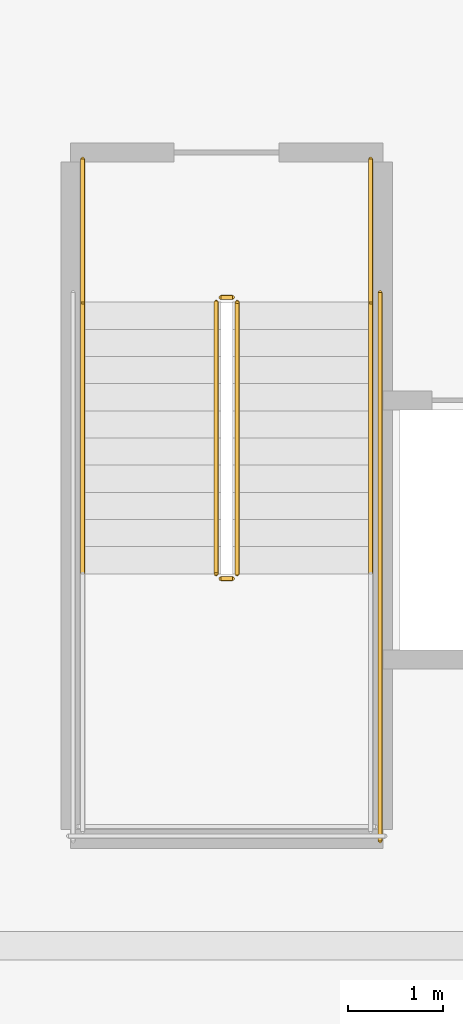
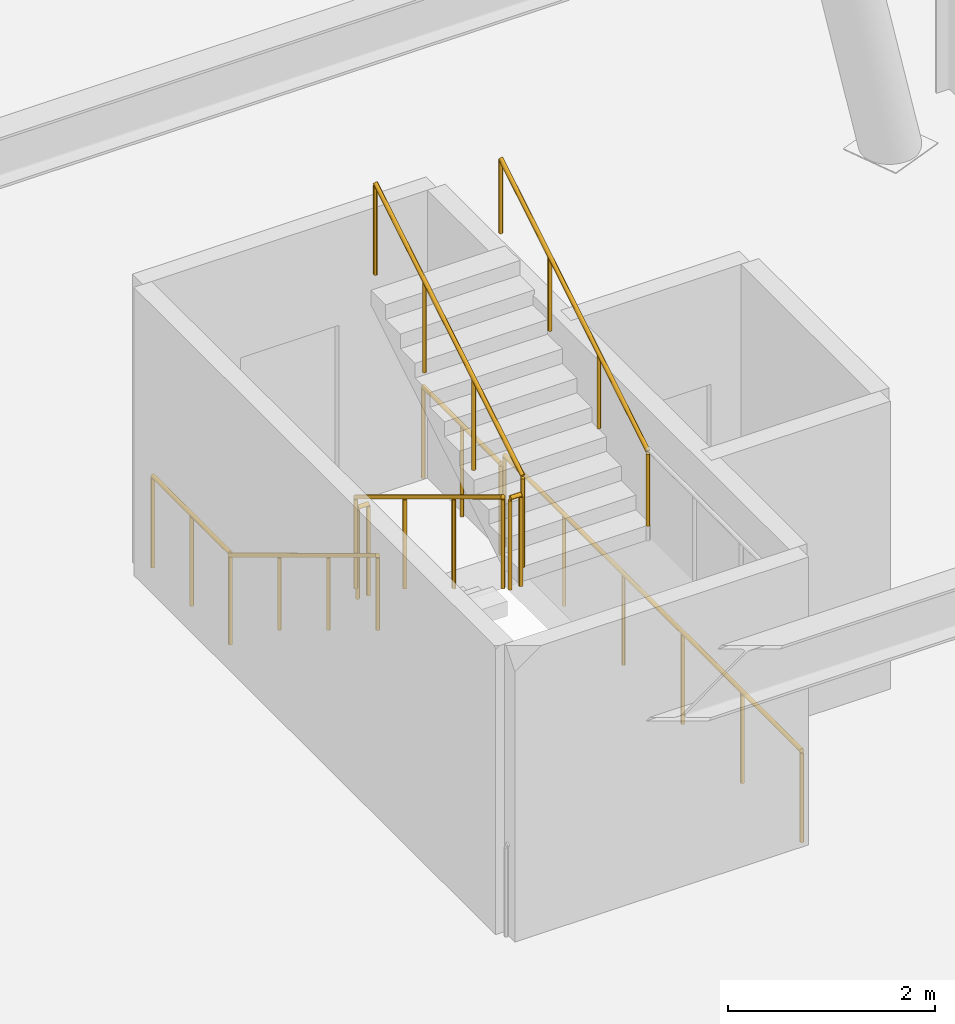
# One storey, part 21 of 22: 9 railings.
"""IFC4 building model written with IfcOpenShell, lengths in metres."""

from ifc_helpers import new_model, si_unit, direction, frame, origin, origin_2d, place, context, subcontext, project, spatial, circle, extrude, material, type_object, element, save


model = new_model("IFC4")

# Units and contexts
model_context = context("Model", 3, precision=1e-05, world=origin(), true_north=direction((0.0, 1.0)))
body_context = subcontext(model_context, "Body", "Model", "MODEL_VIEW")
ifc_project = project(units=[si_unit("LENGTHUNIT", "METRE"), si_unit("AREAUNIT", "SQUARE_METRE"), si_unit("VOLUMEUNIT", "CUBIC_METRE"), si_unit("PLANEANGLEUNIT", "RADIAN"), si_unit("MASSUNIT", "GRAM", prefix="KILO")], contexts=[model_context])

# Site, building, storey
site_placement = place(None, origin())
site = spatial("IfcSite", under=ifc_project, at=site_placement, CompositionType="ELEMENT")
building_placement = place(site_placement, origin())
building = spatial("IfcBuilding", under=site, at=building_placement, Name="Qobustan Lattice House", CompositionType="ELEMENT")
storey_placement = place(building_placement, frame((0.0, 0.0, 274.0)))
storey = spatial("IfcBuildingStorey", under=building, at=storey_placement, Name="L77", CompositionType="ELEMENT", Elevation=274.0)

# Railings
ifc_material_1 = material(Name="Brushed stainless steel handrail", Category="steel")
railing_type_1 = type_object("IfcRailingType", Name="RAL-HR-920", PredefinedType="HANDRAIL", material=ifc_material_1)
railing_1_placement = place(storey_placement, frame((-1.510009765625, 1.14990234375, 0.172607421875)))
element("IfcRailing", 1, at=railing_1_placement, inside=storey, type_object=railing_type_1, Name="L77 ST-C1 stair handrail 1", PredefinedType="HANDRAIL", context=body_context, shape_type="SweptSolid", body=[
    extrude(circle(Radius=0.02392578125, at=origin_2d()), frame((0.0, 0.0, 0.8759765625), z_axis=(0.0, -0.855183070636, 0.518326070826), x_axis=(1.0, 0.0, 0.0)), (0.0, 0.0, 1.0), 3.33251953125),
    extrude(circle(Radius=0.02099609375, at=origin_2d()), origin(), (0.0, 0.0, 1.0), 0.851806640625),
    extrude(circle(Radius=0.02099609375, at=origin_2d()), frame((0.0, -0.949951171875, 0.57568359375)), (0.0, 0.0, 1.0), 0.851806640625),
    extrude(circle(Radius=0.02099609375, at=origin_2d()), frame((0.0, -1.89990234375, 1.151611328125)), (0.0, 0.0, 1.0), 0.851806640625),
    extrude(circle(Radius=0.02099609375, at=origin_2d()), frame((0.0, -2.849853515625, 1.727294921875)), (0.0, 0.0, 1.0), 0.851806640625),
])
railing_2_placement = place(storey_placement, frame((1.510009765625, -1.699951171875, 2.07275390625)))
element("IfcRailing", 2, at=railing_2_placement, inside=storey, type_object=railing_type_1, Name="L77 ST-C1 stair handrail 2", PredefinedType="HANDRAIL", context=body_context, shape_type="SweptSolid", body=[
    extrude(circle(Radius=0.02392578125, at=origin_2d()), frame((0.0, 0.0, 0.8759765625), z_axis=(0.0, 0.855183070636, 0.518326070826), x_axis=(-1.0, 0.0, 0.0)), (0.0, 0.0, 1.0), 3.33251953125),
    extrude(circle(Radius=0.02099609375, at=origin_2d()), origin(), (0.0, 0.0, 1.0), 0.851806640625),
    extrude(circle(Radius=0.02099609375, at=origin_2d()), frame((0.0, 0.949951171875, 0.57568359375)), (0.0, 0.0, 1.0), 0.851806640625),
    extrude(circle(Radius=0.02099609375, at=origin_2d()), frame((0.0, 1.89990234375, 1.151611328125)), (0.0, 0.0, 1.0), 0.851806640625),
    extrude(circle(Radius=0.02099609375, at=origin_2d()), frame((0.0, 2.849853515625, 1.727294921875)), (0.0, 0.0, 1.0), 0.851806640625),
])
ifc_material_2 = material(Name="Painted galvanized steel guardrail", Category="steel")
railing_type_2 = type_object("IfcRailingType", Name="RAL-STG-1150", PredefinedType="GUARDRAIL", material=ifc_material_2)
railing_3_placement = place(storey_placement, frame((-0.110107421875, 1.14990234375, 0.172607421875)))
element("IfcRailing", 3, at=railing_3_placement, inside=storey, type_object=railing_type_2, Name="L77 ST-C1 stair guard 1", PredefinedType="GUARDRAIL", context=body_context, shape_type="SweptSolid", body=[
    extrude(circle(Radius=0.02392578125, at=origin_2d()), frame((0.0, 0.0, 1.076171875), z_axis=(0.0, -0.855183070636, 0.518326070826), x_axis=(1.0, 0.0, 0.0)), (0.0, 0.0, 1.0), 3.33251953125),
    extrude(circle(Radius=0.02099609375, at=origin_2d()), origin(), (0.0, 0.0, 1.0), 1.052001953125),
    extrude(circle(Radius=0.02099609375, at=origin_2d()), frame((0.0, -0.949951171875, 0.57568359375)), (0.0, 0.0, 1.0), 1.052001953125),
    extrude(circle(Radius=0.02099609375, at=origin_2d()), frame((0.0, -1.89990234375, 1.151611328125)), (0.0, 0.0, 1.0), 1.052001953125),
    extrude(circle(Radius=0.02099609375, at=origin_2d()), frame((0.0, -2.849853515625, 1.727294921875)), (0.0, 0.0, 1.0), 1.052001953125),
])
railing_4_placement = place(storey_placement, frame((-0.06005859375, -1.75, 1.89990234375)))
element("IfcRailing", 4, at=railing_4_placement, inside=storey, type_object=railing_type_2, Name="L77 ST-C1 stair guard 2", PredefinedType="GUARDRAIL", context=body_context, shape_type="SweptSolid", body=[
    extrude(circle(Radius=0.02392578125, at=origin_2d()), frame((0.0, 0.0, 1.076171875), z_axis=(1.0, 0.0, 0.0), x_axis=(0.0, 1.0, 0.0)), (0.0, 0.0, 1.0), 0.1201171875),
    extrude(circle(Radius=0.02099609375, at=origin_2d()), origin(), (0.0, 0.0, 1.0), 1.052001953125),
    extrude(circle(Radius=0.02099609375, at=origin_2d()), frame((0.1201171875, 0.0, 0.0)), (0.0, 0.0, 1.0), 1.052001953125),
])
railing_5_placement = place(storey_placement, frame((0.110107421875, -1.699951171875, 2.07275390625)))
element("IfcRailing", 5, at=railing_5_placement, inside=storey, type_object=railing_type_2, Name="L77 ST-C1 stair guard 6", PredefinedType="GUARDRAIL", context=body_context, shape_type="SweptSolid", body=[
    extrude(circle(Radius=0.02392578125, at=origin_2d()), frame((0.0, 0.0, 1.076171875), z_axis=(0.0, 0.855183070636, 0.518326070826), x_axis=(-1.0, 0.0, 0.0)), (0.0, 0.0, 1.0), 3.33251953125),
    extrude(circle(Radius=0.02099609375, at=origin_2d()), origin(), (0.0, 0.0, 1.0), 1.052001953125),
    extrude(circle(Radius=0.02099609375, at=origin_2d()), frame((0.0, 0.949951171875, 0.57568359375)), (0.0, 0.0, 1.0), 1.052001953125),
    extrude(circle(Radius=0.02099609375, at=origin_2d()), frame((0.0, 1.89990234375, 1.151611328125)), (0.0, 0.0, 1.0), 1.052001953125),
    extrude(circle(Radius=0.02099609375, at=origin_2d()), frame((0.0, 2.849853515625, 1.727294921875)), (0.0, 0.0, 1.0), 1.052001953125),
])
railing_6_placement = place(storey_placement, frame((-0.06005859375, 1.199951171875, 0.0)))
element("IfcRailing", 6, at=railing_6_placement, inside=storey, type_object=railing_type_2, Name="L77 ST-C1 stair guard 7", PredefinedType="GUARDRAIL", context=body_context, shape_type="SweptSolid", body=[
    extrude(circle(Radius=0.02392578125, at=origin_2d()), frame((0.0, 0.0, 1.076171875), z_axis=(1.0, 0.0, 0.0), x_axis=(0.0, 1.0, 0.0)), (0.0, 0.0, 1.0), 0.1201171875),
    extrude(circle(Radius=0.02099609375, at=origin_2d()), origin(), (0.0, 0.0, 1.0), 1.052001953125),
    extrude(circle(Radius=0.02099609375, at=origin_2d()), frame((0.1201171875, 0.0, 0.0)), (0.0, 0.0, 1.0), 1.052001953125),
])
for number, where, name in (
    (7, (-1.510009765625, 2.64990234375, 0.0), "L77 ST-C1 stair guard 8"),
    (8, (1.510009765625, 2.64990234375, 0.0), "L77 ST-C1 stair guard 9"),
):
    element("IfcRailing", number, at=place(storey_placement, frame(where)), inside=storey, type_object=railing_type_2, Name=name, PredefinedType="GUARDRAIL", context=body_context, shape_type="SweptSolid", body=[
        extrude(circle(Radius=0.02392578125, at=origin_2d()), frame((0.0, 0.0, 1.076171875), z_axis=(0.0, -1.0, 0.0), x_axis=(1.0, 0.0, 0.0)), (0.0, 0.0, 1.0), 1.5),
        extrude(circle(Radius=0.02099609375, at=origin_2d()), origin(), (0.0, 0.0, 1.0), 1.052001953125),
        extrude(circle(Radius=0.02099609375, at=origin_2d()), frame((0.0, -0.75, 0.0)), (0.0, 0.0, 1.0), 1.052001953125),
        extrude(circle(Radius=0.02099609375, at=origin_2d()), frame((0.0, -1.5, 0.0)), (0.0, 0.0, 1.0), 1.052001953125),
    ])
railing_7_placement = place(storey_placement, frame((1.610107421875, 1.25, 0.0)))
element("IfcRailing", 9, at=railing_7_placement, inside=storey, type_object=railing_type_2, Name="L77 ST-C1 stair guard 11", PredefinedType="GUARDRAIL", context=body_context, shape_type="SweptSolid", body=[
    extrude(circle(Radius=0.02392578125, at=origin_2d()), frame((0.0, 0.0, 1.076171875), z_axis=(0.0, -1.0, 0.0), x_axis=(1.0, 0.0, 0.0)), (0.0, 0.0, 1.0), 5.75),
    extrude(circle(Radius=0.02099609375, at=origin_2d()), origin(), (0.0, 0.0, 1.0), 1.052001953125),
    extrude(circle(Radius=0.02099609375, at=origin_2d()), frame((0.0, -1.14990234375, 0.0)), (0.0, 0.0, 1.0), 1.052001953125),
    extrude(circle(Radius=0.02099609375, at=origin_2d()), frame((0.0, -2.300048828125, 0.0)), (0.0, 0.0, 1.0), 1.052001953125),
    extrude(circle(Radius=0.02099609375, at=origin_2d()), frame((0.0, -3.449951171875, 0.0)), (0.0, 0.0, 1.0), 1.052001953125),
    extrude(circle(Radius=0.02099609375, at=origin_2d()), frame((0.0, -4.60009765625, 0.0)), (0.0, 0.0, 1.0), 1.052001953125),
    extrude(circle(Radius=0.02099609375, at=origin_2d()), frame((0.0, -5.75, 0.0)), (0.0, 0.0, 1.0), 1.052001953125),
])

save(model, "model.ifc")
